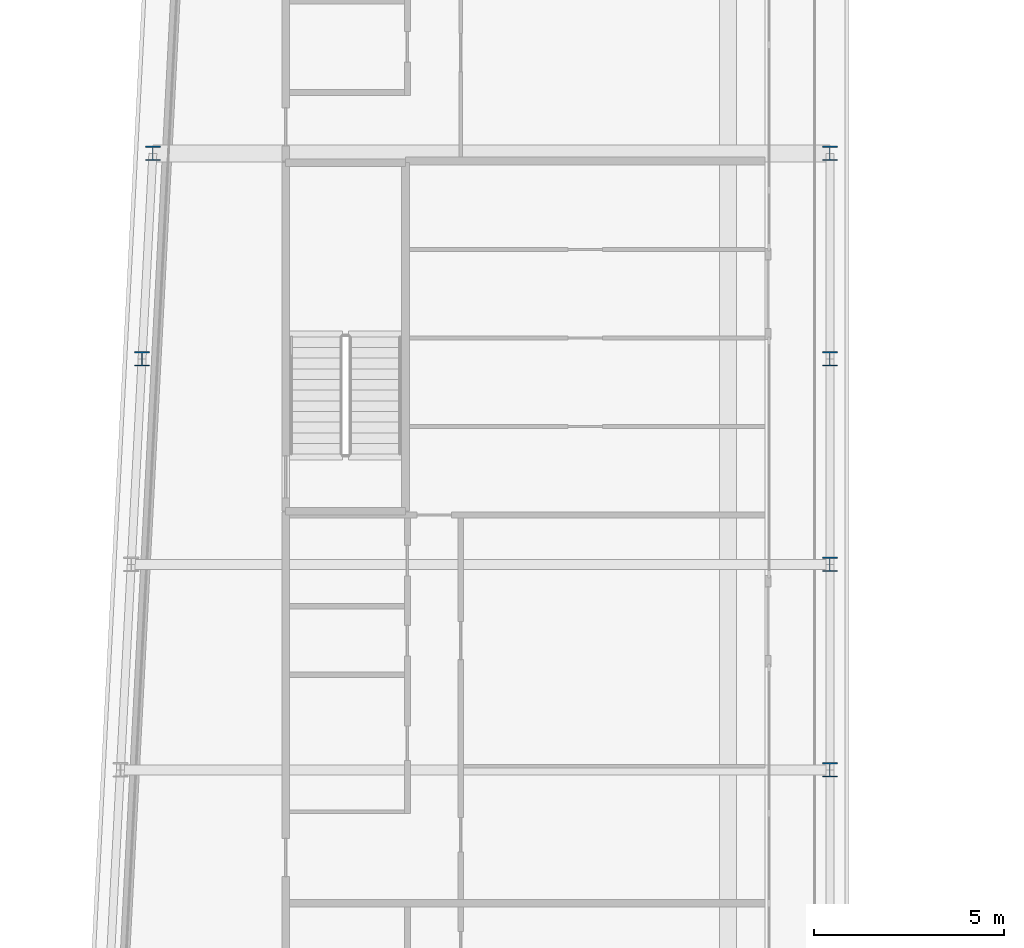
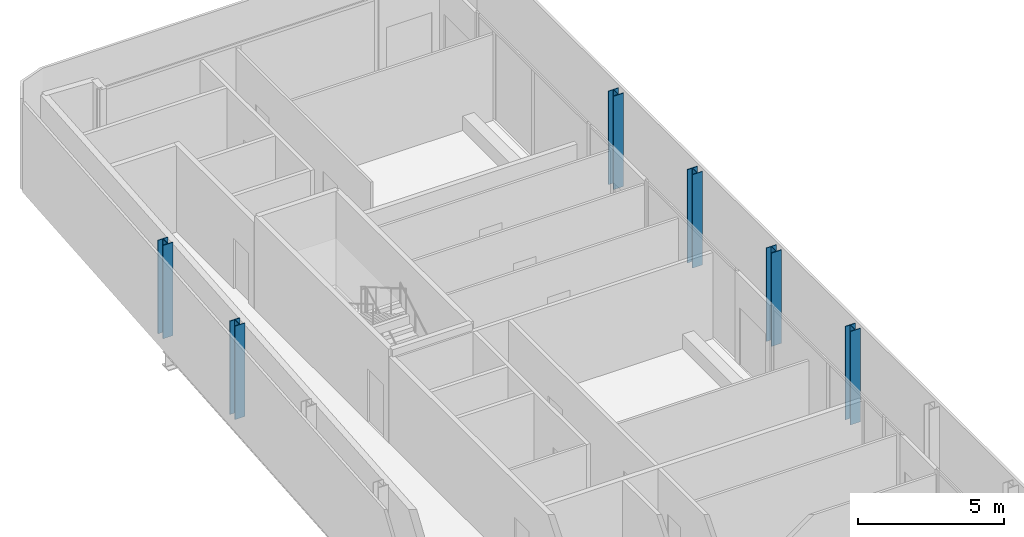
# One storey, part 4 of 21: 6 columns.
"""IFC4 building model written with IfcOpenShell, lengths in metres."""

from ifc_helpers import new_model, si_unit, direction, frame, origin, origin_2d, place, context, subcontext, project, spatial, i_section, extrude, material, material_profile, profile_set, type_object, element, save


model = new_model("IFC4")

# Units and contexts
model_context = context("Model", 3, precision=1e-05, world=origin(), true_north=direction((0.0, 1.0)))
body_context = subcontext(model_context, "Body", "Model", "MODEL_VIEW")
ifc_project = project(units=[si_unit("LENGTHUNIT", "METRE"), si_unit("AREAUNIT", "SQUARE_METRE"), si_unit("VOLUMEUNIT", "CUBIC_METRE"), si_unit("PLANEANGLEUNIT", "RADIAN"), si_unit("MASSUNIT", "GRAM", prefix="KILO")], contexts=[model_context])

# Site, building, storey
site_placement = place(None, origin())
site = spatial("IfcSite", under=ifc_project, at=site_placement, CompositionType="ELEMENT")
building_placement = place(site_placement, origin())
building = spatial("IfcBuilding", under=site, at=building_placement, Name="Kheshtan School and Residences Tower", CompositionType="ELEMENT")
storey_placement = place(building_placement, frame((0.0, 0.0, 313.699951171875)))
storey = spatial("IfcBuildingStorey", under=building, at=storey_placement, Name="L74", CompositionType="ELEMENT", Elevation=313.699951171875)

# Columns
ifc_material = material(Name="Steel ASTM A992 Grade 50", Category="steel")
ifc_material_profile = material_profile(ifc_material, i_section(OverallWidth=0.39501953125, OverallDepth=0.3798828125, WebThickness=0.018798828125, FlangeThickness=0.0302734375, FilletRadius=0.011474609375, at=origin_2d()), Name="W360x237")
ifc_profile_set = profile_set([ifc_material_profile], Name="Steel ASTM A992 Grade 50")
column_type = type_object("IfcColumnType", Name="Column C5 W360x237 ASTM A992 Grade 50", PredefinedType="COLUMN", material=ifc_profile_set)
for number, where, z_axis, x_axis, name in (
    (1, (47.60009765625, 72.60009765625, 0.0), (0.0, 0.0, 1.0), (1.0, 0.0, 0.0), "Column C087"),
    (2, (47.60009765625, 78.0, 0.0), (0.0, 0.0, 1.0), (1.0, 0.0, 0.0), "Column C089"),
    (3, (29.527099609375, 83.39990234375, 0.0), (0.0, 0.0, 1.0), (1.0, 0.0, 0.0), "Column C090"),
    (4, (47.60009765625, 83.39990234375, 0.0), (0.0, 0.0, 1.0), (1.0, 0.0, 0.0), "Column C091"),
    (5, (29.81103515625, 88.800048828125, 0.0), (0.0, 0.0, 1.0), (1.0, 0.0, 0.0), "Column C098"),
    (6, (47.60009765625, 88.800048828125, 0.0), (0.0, 0.0, 1.0), (1.0, 0.0, 0.0), "Column C099"),
):
    element("IfcColumn", number, at=place(storey_placement, frame(where, z_axis=z_axis, x_axis=x_axis)), inside=storey, type_object=column_type, Name=name, PredefinedType="COLUMN", context=body_context, shape_type="SweptSolid", body=[
        extrude(i_section(OverallWidth=0.39501953125, OverallDepth=0.3798828125, WebThickness=0.018798828125, FlangeThickness=0.0302734375, FilletRadius=0.011474609375, at=origin_2d()), origin(), (0.0, 0.0, 1.0), 3.900146484375),
    ])

save(model, "model.ifc")
